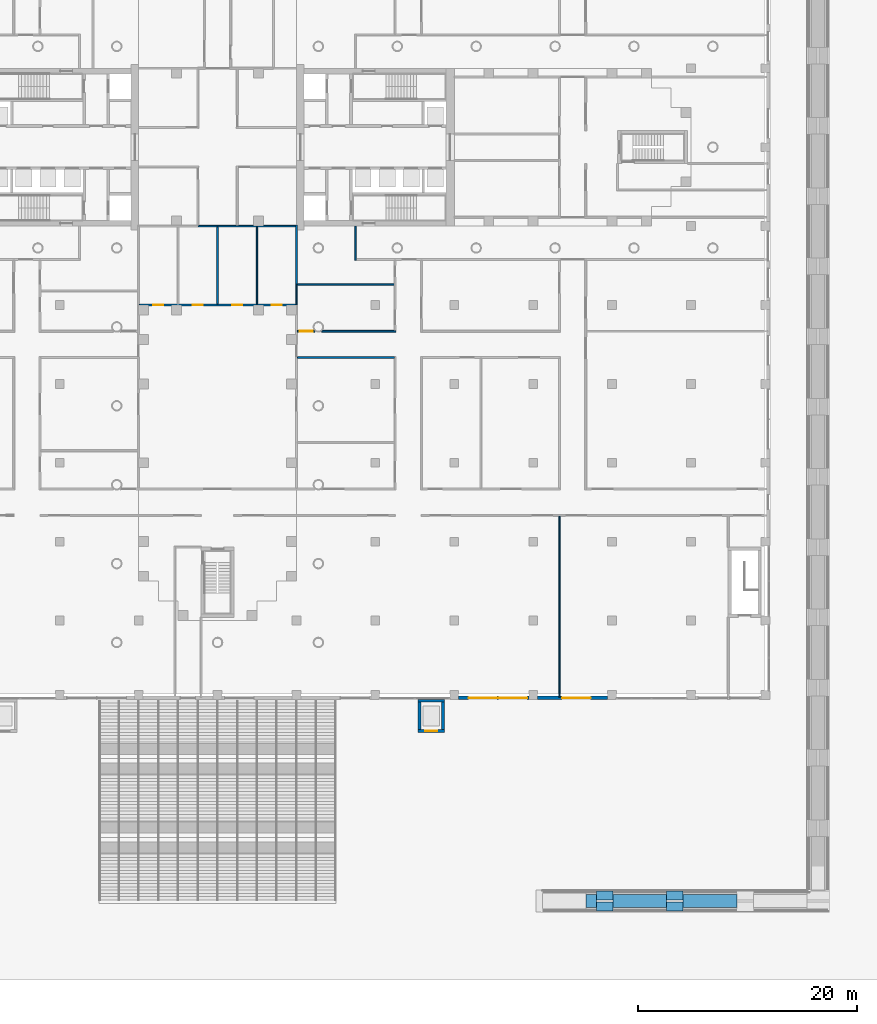
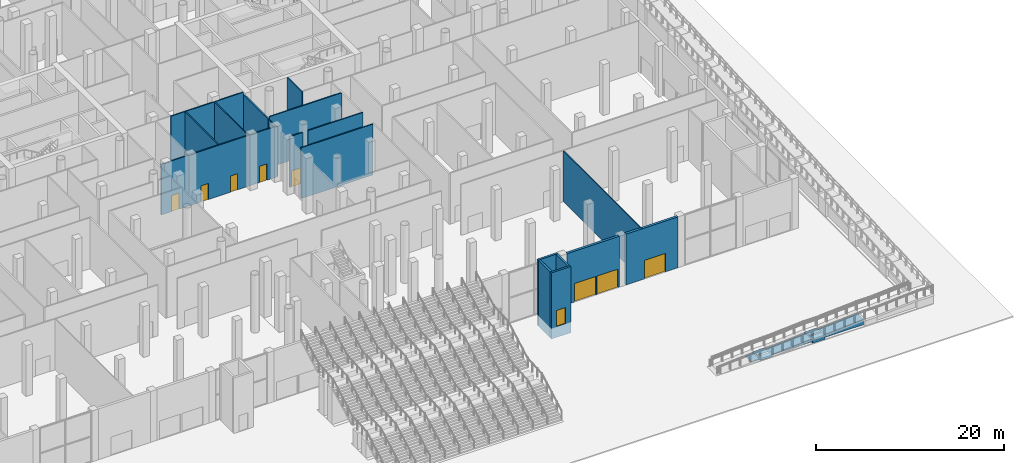
# One storey, part 18 of 44: 25 walls, 9 doors, 9 openings.
"""IFC4 building model written with IfcOpenShell, lengths in metres."""

from ifc_helpers import new_model, si_unit, direction, frame, frame_2d, origin, place, context, subcontext, project, spatial, polyline, rectangle, outline, extrude, material, layer, layer_set, type_object, element, fill, save


model = new_model("IFC4")

# Units and contexts
model_context = context("Model", 3, precision=1e-05, world=origin(), true_north=direction((0.0, 1.0)))
body_context = subcontext(model_context, "Body", "Model", "MODEL_VIEW")
ifc_project = project(units=[si_unit("LENGTHUNIT", "METRE"), si_unit("AREAUNIT", "SQUARE_METRE"), si_unit("VOLUMEUNIT", "CUBIC_METRE"), si_unit("PLANEANGLEUNIT", "RADIAN"), si_unit("MASSUNIT", "GRAM", prefix="KILO")], contexts=[model_context])

# Site, building, storey
site_placement = place(None, origin())
site = spatial("IfcSite", under=ifc_project, at=site_placement, CompositionType="ELEMENT")
building_placement = place(site_placement, origin())
building = spatial("IfcBuilding", under=site, at=building_placement, Name="Fustian Cross Tower", CompositionType="ELEMENT")
storey_placement = place(building_placement, origin())
storey = spatial("IfcBuildingStorey", under=building, at=storey_placement, Name="L00", CompositionType="ELEMENT", Elevation=0.0)

# Wall, openings, doors
ifc_material_1 = material(Name="Plasterboard on steel stud", Category="steel")
ifc_layer_1 = layer(ifc_material_1, 0.14990234375)
ifc_layer_set_1 = layer_set([ifc_layer_1], Name="Plasterboard on steel stud")
wall_type_1 = type_object("IfcWallType", Name="COMPARTMENT WALL 150 EI 60", PredefinedType="PARTITIONING", material=ifc_layer_set_1)
wall_1_placement = place(storey_placement, frame((-7.125, -14.39990234375, 0.0), z_axis=(0.0, 0.0, 1.0), x_axis=(1.0, 0.0, 0.0)))
wall_1 = element("IfcWall", 1, at=wall_1_placement, inside=storey, type_object=wall_type_1, Name="Partition 64", PredefinedType="PARTITIONING", context=body_context, shape_type="SweptSolid", body=[
    extrude(rectangle(XDim=14.25, YDim=0.14990234375, at=frame_2d((7.125, 0.0))), origin(), (0.0, 0.0, 1.0), 6.60009765625),
])
opening_1_placement = place(wall_1_placement, frame((1.27490234375, 0.0, 0.0)))
opening_1 = element("IfcOpeningElement", 2, at=opening_1_placement, cuts=wall_1, Name="Opening D02009", PredefinedType="OPENING", context=body_context, shape_type="SweptSolid", body=[
    extrude(rectangle(XDim=0.89990234375, YDim=2.10009765625, at=frame_2d((0.449951171875, 1.050048828125))), frame((0.0, 0.0849609375, 0.0), z_axis=(0.0, -1.0, 0.0), x_axis=(1.0, 0.0, 0.0)), (0.0, 0.0, 1.0), 0.169921875),
])
opening_2_placement = place(wall_1_placement, frame((4.875, 0.0, 0.0)))
opening_2 = element("IfcOpeningElement", 3, at=opening_2_placement, cuts=wall_1, Name="Opening D02010", PredefinedType="OPENING", context=body_context, shape_type="SweptSolid", body=[
    extrude(rectangle(XDim=0.89990234375, YDim=2.10009765625, at=frame_2d((0.449951171875, 1.050048828125))), frame((0.0, 0.0849609375, 0.0), z_axis=(0.0, -1.0, 0.0), x_axis=(1.0, 0.0, 0.0)), (0.0, 0.0, 1.0), 0.169921875),
])
opening_3_placement = place(wall_1_placement, frame((8.47509765625, 0.0, 0.0)))
opening_3 = element("IfcOpeningElement", 4, at=opening_3_placement, cuts=wall_1, Name="Opening D02011", PredefinedType="OPENING", context=body_context, shape_type="SweptSolid", body=[
    extrude(rectangle(XDim=0.89990234375, YDim=2.10009765625, at=frame_2d((0.449951171875, 1.050048828125))), frame((0.0, 0.0849609375, 0.0), z_axis=(0.0, -1.0, 0.0), x_axis=(1.0, 0.0, 0.0)), (0.0, 0.0, 1.0), 0.169921875),
])
opening_4_placement = place(wall_1_placement, frame((12.074951171875, 0.0, 0.0)))
opening_4 = element("IfcOpeningElement", 5, at=opening_4_placement, cuts=wall_1, Name="Opening D02012", PredefinedType="OPENING", context=body_context, shape_type="SweptSolid", body=[
    extrude(rectangle(XDim=0.89990234375, YDim=2.10009765625, at=frame_2d((0.449951171875, 1.050048828125))), frame((0.0, 0.0849609375, 0.0), z_axis=(0.0, -1.0, 0.0), x_axis=(1.0, 0.0, 0.0)), (0.0, 0.0, 1.0), 0.169921875),
])
ifc_material_2 = material(Name="Timber fire door set", Category="wood")
door_type_1 = type_object("IfcDoorType", Name="FIRE SWING DOOR 900 FD30S", OperationType="SINGLE_SWING_LEFT", PredefinedType="DOOR", material=ifc_material_2)
door_1_placement = place(opening_1_placement, origin())
door_1 = element("IfcDoor", 6, at=door_1_placement, inside=storey, type_object=door_type_1, Name="Door D02009", OperationType="SINGLE_SWING_LEFT", OverallHeight=2.10009765625, OverallWidth=0.89990234375, PredefinedType="DOOR", context=body_context, shape_type="SweptSolid", body=[
    extrude(rectangle(XDim=0.89990234375, YDim=2.10009765625, at=frame_2d((0.449951171875, 1.050048828125))), frame((0.0, 0.02490234375, 0.0), z_axis=(0.0, -1.0, 0.0), x_axis=(1.0, 0.0, 0.0)), (0.0, 0.0, 1.0), 0.050048828125),
])
fill(opening_1, door_1)
door_2_placement = place(opening_2_placement, origin())
door_2 = element("IfcDoor", 7, at=door_2_placement, inside=storey, type_object=door_type_1, Name="Door D02010", OperationType="SINGLE_SWING_LEFT", OverallHeight=2.10009765625, OverallWidth=0.89990234375, PredefinedType="DOOR", context=body_context, shape_type="SweptSolid", body=[
    extrude(rectangle(XDim=0.89990234375, YDim=2.10009765625, at=frame_2d((0.449951171875, 1.050048828125))), frame((0.0, 0.02490234375, 0.0), z_axis=(0.0, -1.0, 0.0), x_axis=(1.0, 0.0, 0.0)), (0.0, 0.0, 1.0), 0.050048828125),
])
fill(opening_2, door_2)
door_3_placement = place(opening_3_placement, origin())
door_3 = element("IfcDoor", 8, at=door_3_placement, inside=storey, type_object=door_type_1, Name="Door D02011", OperationType="SINGLE_SWING_LEFT", OverallHeight=2.10009765625, OverallWidth=0.89990234375, PredefinedType="DOOR", context=body_context, shape_type="SweptSolid", body=[
    extrude(rectangle(XDim=0.89990234375, YDim=2.10009765625, at=frame_2d((0.449951171875, 1.050048828125))), frame((0.0, 0.02490234375, 0.0), z_axis=(0.0, -1.0, 0.0), x_axis=(1.0, 0.0, 0.0)), (0.0, 0.0, 1.0), 0.050048828125),
])
fill(opening_3, door_3)
door_4_placement = place(opening_4_placement, origin())
door_4 = element("IfcDoor", 9, at=door_4_placement, inside=storey, type_object=door_type_1, Name="Door D02012", OperationType="SINGLE_SWING_LEFT", OverallHeight=2.10009765625, OverallWidth=0.89990234375, PredefinedType="DOOR", context=body_context, shape_type="SweptSolid", body=[
    extrude(rectangle(XDim=0.89990234375, YDim=2.10009765625, at=frame_2d((0.449951171875, 1.050048828125))), frame((0.0, 0.02490234375, 0.0), z_axis=(0.0, -1.0, 0.0), x_axis=(1.0, 0.0, 0.0)), (0.0, 0.0, 1.0), 0.050048828125),
])
fill(opening_4, door_4)

# Walls
wall_2_placement = place(storey_placement, frame((-1.800048828125, -7.199951171875, 0.0), z_axis=(0.0, 0.0, 1.0), x_axis=(1.0, 0.0, 0.0)))
element("IfcWall", 10, at=wall_2_placement, inside=storey, type_object=wall_type_1, Name="Partition 75", PredefinedType="PARTITIONING", context=body_context, shape_type="SweptSolid", body=[
    extrude(rectangle(XDim=8.925048828125, YDim=0.14990234375, at=frame_2d((4.46240234375, 0.0))), origin(), (0.0, 0.0, 1.0), 6.60009765625),
])
wall_3_placement = place(storey_placement, frame((0.0, -14.324951171875, 0.0), z_axis=(0.0, 0.0, 1.0), x_axis=(0.0, 1.0, 0.0)))
element("IfcWall", 11, at=wall_3_placement, inside=storey, type_object=wall_type_1, Name="Partition 82", PredefinedType="PARTITIONING", context=body_context, shape_type="SweptSolid", body=[
    extrude(rectangle(XDim=7.050048828125, YDim=0.14990234375, at=frame_2d((3.52490234375, 0.0))), origin(), (0.0, 0.0, 1.0), 6.60009765625),
])
wall_4_placement = place(storey_placement, frame((7.27490234375, -19.199951171875, 0.0), z_axis=(0.0, 0.0, 1.0), x_axis=(1.0, 0.0, 0.0)))
element("IfcWall", 12, at=wall_4_placement, inside=storey, type_object=wall_type_1, Name="Partition 99", PredefinedType="PARTITIONING", context=body_context, shape_type="SweptSolid", body=[
    extrude(rectangle(XDim=8.85009765625, YDim=0.14990234375, at=frame_2d((4.425048828125, 0.0))), origin(), (0.0, 0.0, 1.0), 6.60009765625),
])

# Wall, opening, door
wall_5_placement = place(storey_placement, frame((7.27490234375, -16.800048828125, 0.0), z_axis=(0.0, 0.0, 1.0), x_axis=(1.0, 0.0, 0.0)))
wall_5 = element("IfcWall", 13, at=wall_5_placement, inside=storey, type_object=wall_type_1, Name="Partition 100", PredefinedType="PARTITIONING", context=body_context, shape_type="SweptSolid", body=[
    extrude(rectangle(XDim=1.603515625, YDim=0.14990234375, at=frame_2d((0.8017578125, 0.0))), origin(), (0.0, 0.0, 1.0), 6.60009765625),
])
opening_5_placement = place(wall_5_placement, frame((0.22509765625, 0.0, 0.0)))
opening_5 = element("IfcOpeningElement", 14, at=opening_5_placement, cuts=wall_5, Name="Opening D02116", PredefinedType="OPENING", context=body_context, shape_type="SweptSolid", body=[
    extrude(rectangle(XDim=1.199951171875, YDim=2.10009765625, at=frame_2d((0.60009765625, 1.050048828125))), frame((0.0, 0.0849609375, 0.0), z_axis=(0.0, -1.0, 0.0), x_axis=(1.0, 0.0, 0.0)), (0.0, 0.0, 1.0), 0.169921875),
])
ifc_material_3 = material(Name="Timber fire door set", Category="wood")
door_type_2 = type_object("IfcDoorType", Name="FIRE SWING DOOR 1200 FD30S", OperationType="SINGLE_SWING_LEFT", PredefinedType="DOOR", material=ifc_material_3)
door_5_placement = place(opening_5_placement, origin())
door_5 = element("IfcDoor", 15, at=door_5_placement, inside=storey, type_object=door_type_2, Name="Door D02116", OperationType="SINGLE_SWING_LEFT", OverallHeight=2.10009765625, OverallWidth=1.199951171875, PredefinedType="DOOR", context=body_context, shape_type="SweptSolid", body=[
    extrude(rectangle(XDim=1.199951171875, YDim=2.10009765625, at=frame_2d((0.60009765625, 1.050048828125))), frame((0.0, 0.02490234375, 0.0), z_axis=(0.0, -1.0, 0.0), x_axis=(1.0, 0.0, 0.0)), (0.0, 0.0, 1.0), 0.050048828125),
])
fill(opening_5, door_5)

# Walls
wall_6_placement = place(storey_placement, frame((9.521484375, -16.800048828125, 0.0), z_axis=(0.0, 0.0, 1.0), x_axis=(1.0, 0.0, 0.0)))
element("IfcWall", 16, at=wall_6_placement, inside=storey, type_object=wall_type_1, Name="Partition 163", PredefinedType="PARTITIONING", context=body_context, shape_type="SweptSolid", body=[
    extrude(rectangle(XDim=6.75341796875, YDim=0.14990234375, at=frame_2d((3.376708984375, 0.0))), origin(), (0.0, 0.0, 1.0), 6.60009765625),
])
wall_7_placement = place(storey_placement, frame((7.199951171875, -12.518310546875, 0.0), z_axis=(0.0, 0.0, 1.0), x_axis=(0.0, 1.0, 0.0)))
element("IfcWall", 17, at=wall_7_placement, inside=storey, type_object=wall_type_1, Name="Partition 102", PredefinedType="PARTITIONING", context=body_context, shape_type="SweptSolid", body=[
    extrude(rectangle(XDim=5.393310546875, YDim=0.14990234375, at=frame_2d((2.69677734375, 0.0))), origin(), (0.0, 0.0, 1.0), 6.300048828125),
])
wall_8_placement = place(storey_placement, frame((7.27490234375, -12.518310546875, 0.0), z_axis=(0.0, 0.0, 1.0), x_axis=(1.0, 0.0, 0.0)))
element("IfcWall", 18, at=wall_8_placement, inside=storey, type_object=wall_type_1, Name="Partition 103", PredefinedType="PARTITIONING", context=body_context, shape_type="SweptSolid", body=[
    extrude(rectangle(XDim=8.85009765625, YDim=0.14990234375, at=frame_2d((4.425048828125, 0.0))), origin(), (0.0, 0.0, 1.0), 6.60009765625),
])
wall_9_placement = place(storey_placement, frame((12.60009765625, -10.324951171875, 0.0), z_axis=(0.0, 0.0, 1.0), x_axis=(0.0, 1.0, 0.0)))
element("IfcWall", 19, at=wall_9_placement, inside=storey, type_object=wall_type_1, Name="Partition 105", PredefinedType="PARTITIONING", context=body_context, shape_type="SweptSolid", body=[
    extrude(rectangle(XDim=3.125, YDim=0.14990234375, at=frame_2d((1.5625, 0.0))), origin(), (0.0, 0.0, 1.0), 6.60009765625),
])

# Wall, openings, doors
ifc_material_4 = material(Name="Dark rainscreen cladding on blockwork", Category="masonry")
ifc_layer_2 = layer(ifc_material_4, 0.300048828125)
ifc_layer_set_2 = layer_set([ifc_layer_2], Name="Dark rainscreen cladding on blockwork")
wall_type_2 = type_object("IfcWallType", Name="EXTERNAL WALL 300 CLADDING", PredefinedType="SOLIDWALL", material=ifc_layer_set_2)
wall_10_placement = place(storey_placement, frame((22.0, -50.25, 0.0), z_axis=(0.0, 0.0, 1.0), x_axis=(1.0, 0.0, 0.0)))
wall_10 = element("IfcWall", 20, at=wall_10_placement, inside=storey, type_object=wall_type_2, Name="External wall S11", PredefinedType="SOLIDWALL", context=body_context, shape_type="SweptSolid", body=[
    extrude(rectangle(XDim=6.39990234375, YDim=0.300048828125, at=frame_2d((3.199951171875, 0.0))), origin(), (0.0, 0.0, 1.0), 6.60009765625),
])
opening_6_placement = place(wall_10_placement, frame((0.89990234375, 0.0, 0.0)))
opening_6 = element("IfcOpeningElement", 21, at=opening_6_placement, cuts=wall_10, Name="Opening EDP11", PredefinedType="OPENING", context=body_context, shape_type="SweptSolid", body=[
    extrude(rectangle(XDim=2.60009765625, YDim=2.39990234375, at=frame_2d((1.300048828125, 1.199951171875))), frame((0.0, 0.159912109375, 0.0), z_axis=(0.0, -1.0, 0.0), x_axis=(1.0, 0.0, 0.0)), (0.0, 0.0, 1.0), 0.320068359375),
])
opening_7_placement = place(wall_10_placement, frame((3.64990234375, 0.0, 0.0)))
opening_7 = element("IfcOpeningElement", 22, at=opening_7_placement, cuts=wall_10, Name="Opening EDP12", PredefinedType="OPENING", context=body_context, shape_type="SweptSolid", body=[
    extrude(rectangle(XDim=2.60009765625, YDim=2.39990234375, at=frame_2d((1.300048828125, 1.199951171875))), frame((0.0, 0.159912109375, 0.0), z_axis=(0.0, -1.0, 0.0), x_axis=(1.0, 0.0, 0.0)), (0.0, 0.0, 1.0), 0.320068359375),
])
ifc_material_5 = material(Name="Aluminium and glass", Category="aluminium")
door_type_3 = type_object("IfcDoorType", Name="ENTRANCE DOOR 2600", OperationType="DOUBLE_DOOR_SINGLE_SWING", PredefinedType="DOOR", material=ifc_material_5)
door_6_placement = place(opening_6_placement, frame((2.60009765625, 0.0, 0.0), z_axis=(0.0, 0.0, 1.0), x_axis=(-1.0, 0.0, 0.0)))
door_6 = element("IfcDoor", 23, at=door_6_placement, inside=storey, type_object=door_type_3, Name="Exit door 11", OperationType="DOUBLE_DOOR_DOUBLE_SWING", OverallHeight=2.39990234375, OverallWidth=2.60009765625, PredefinedType="DOOR", context=body_context, shape_type="SweptSolid", body=[
    extrude(rectangle(XDim=2.60009765625, YDim=2.39990234375, at=frame_2d((1.300048828125, 1.199951171875))), frame((0.0, 0.02490234375, 0.0), z_axis=(0.0, -1.0, 0.0), x_axis=(1.0, 0.0, 0.0)), (0.0, 0.0, 1.0), 0.050048828125),
])
fill(opening_6, door_6)
door_7_placement = place(opening_7_placement, frame((2.60009765625, 0.0, 0.0), z_axis=(0.0, 0.0, 1.0), x_axis=(-1.0, 0.0, 0.0)))
door_7 = element("IfcDoor", 24, at=door_7_placement, inside=storey, type_object=door_type_3, Name="Exit door 12", OperationType="DOUBLE_DOOR_DOUBLE_SWING", OverallHeight=2.39990234375, OverallWidth=2.60009765625, PredefinedType="DOOR", context=body_context, shape_type="SweptSolid", body=[
    extrude(rectangle(XDim=2.60009765625, YDim=2.39990234375, at=frame_2d((1.300048828125, 1.199951171875))), frame((0.0, 0.02490234375, 0.0), z_axis=(0.0, -1.0, 0.0), x_axis=(1.0, 0.0, 0.0)), (0.0, 0.0, 1.0), 0.050048828125),
])
fill(opening_7, door_7)

# Wall, opening, door
wall_11_placement = place(storey_placement, frame((29.199951171875, -50.25, 0.0), z_axis=(0.0, 0.0, 1.0), x_axis=(1.0, 0.0, 0.0)))
wall_11 = element("IfcWall", 25, at=wall_11_placement, inside=storey, type_object=wall_type_2, Name="External wall S12", PredefinedType="SOLIDWALL", context=body_context, shape_type="SweptSolid", body=[
    extrude(rectangle(XDim=6.400146484375, YDim=0.300048828125, at=frame_2d((3.2001953125, 0.0))), origin(), (0.0, 0.0, 1.0), 6.60009765625),
])
opening_8_placement = place(wall_11_placement, frame((2.25, 0.0, 0.0)))
opening_8 = element("IfcOpeningElement", 26, at=opening_8_placement, cuts=wall_11, Name="Opening EDP13", PredefinedType="OPENING", context=body_context, shape_type="SweptSolid", body=[
    extrude(rectangle(XDim=2.60009765625, YDim=2.39990234375, at=frame_2d((1.300048828125, 1.199951171875))), frame((0.0, 0.159912109375, 0.0), z_axis=(0.0, -1.0, 0.0), x_axis=(1.0, 0.0, 0.0)), (0.0, 0.0, 1.0), 0.320068359375),
])
door_8_placement = place(opening_8_placement, frame((2.60009765625, 0.0, 0.0), z_axis=(0.0, 0.0, 1.0), x_axis=(-1.0, 0.0, 0.0)))
door_8 = element("IfcDoor", 27, at=door_8_placement, inside=storey, type_object=door_type_3, Name="Exit door 13", OperationType="DOUBLE_DOOR_DOUBLE_SWING", OverallHeight=2.39990234375, OverallWidth=2.60009765625, PredefinedType="DOOR", context=body_context, shape_type="SweptSolid", body=[
    extrude(rectangle(XDim=2.60009765625, YDim=2.39990234375, at=frame_2d((1.300048828125, 1.199951171875))), frame((0.0, 0.02490234375, 0.0), z_axis=(0.0, -1.0, 0.0), x_axis=(1.0, 0.0, 0.0)), (0.0, 0.0, 1.0), 0.050048828125),
])
fill(opening_8, door_8)

ifc_material_6 = material(Name="Concrete C40/50", Category="concrete")
ifc_layer_3 = layer(ifc_material_6, 0.25)
ifc_layer_set_3 = layer_set([ifc_layer_3], Name="Concrete C40/50")
wall_type_3 = type_object("IfcWallType", Name="LIFT SHAFT WALL 250", PredefinedType="SOLIDWALL", material=ifc_layer_set_3)
wall_12_placement = place(storey_placement, frame((18.300048828125, -53.27490234375, -1.39990234375), z_axis=(0.0, 0.0, 1.0), x_axis=(1.0, 0.0, 0.0)))
wall_12 = element("IfcWall", 28, at=wall_12_placement, inside=storey, type_object=wall_type_3, Name="Lift shaft wall PL2 L00 S", PredefinedType="SOLIDWALL", context=body_context, shape_type="SweptSolid", body=[
    extrude(rectangle(XDim=2.39990234375, YDim=0.25, at=frame_2d((1.199951171875, 0.0))), origin(), (0.0, 0.0, 1.0), 8.599853515625),
])
opening_9_placement = place(wall_12_placement, frame((0.64990234375, 0.0, 1.39990234375)))
opening_9 = element("IfcOpeningElement", 29, at=opening_9_placement, cuts=wall_12, Name="Opening LD", PredefinedType="OPENING", context=body_context, shape_type="SweptSolid", body=[
    extrude(rectangle(XDim=1.10009765625, YDim=2.10009765625, at=frame_2d((0.550048828125, 1.050048828125))), frame((0.0, 0.135009765625, 0.0), z_axis=(0.0, -1.0, 0.0), x_axis=(1.0, 0.0, 0.0)), (0.0, 0.0, 1.0), 0.27001953125),
])
ifc_material_7 = material(Name="Stainless steel", Category="steel")
door_type_4 = type_object("IfcDoorType", Name="LIFT LANDING DOOR 1100X2100", OperationType="SLIDING_TO_LEFT", PredefinedType="DOOR", material=ifc_material_7)
door_9_placement = place(opening_9_placement, origin())
door_9 = element("IfcDoor", 30, at=door_9_placement, inside=storey, type_object=door_type_4, Name="Public lift car landing door PL2 L00", OperationType="SLIDING_TO_LEFT", OverallHeight=2.10009765625, OverallWidth=1.10009765625, PredefinedType="DOOR", context=body_context, shape_type="SweptSolid", body=[
    extrude(rectangle(XDim=1.10009765625, YDim=2.10009765625, at=frame_2d((0.550048828125, 1.050048828125))), frame((0.0, 0.02490234375, 0.0), z_axis=(0.0, -1.0, 0.0), x_axis=(1.0, 0.0, 0.0)), (0.0, 0.0, 1.0), 0.050048828125),
])
fill(opening_9, door_9)

# Walls
wall_13_placement = place(storey_placement, frame((18.300048828125, -50.52490234375, -1.39990234375), z_axis=(0.0, 0.0, 1.0), x_axis=(1.0, 0.0, 0.0)))
element("IfcWall", 31, at=wall_13_placement, inside=storey, type_object=wall_type_3, Name="Lift shaft wall PL2 L00 N", PredefinedType="SOLIDWALL", context=body_context, shape_type="SweptSolid", body=[
    extrude(rectangle(XDim=2.39990234375, YDim=0.25, at=frame_2d((1.199951171875, 0.0))), origin(), (0.0, 0.0, 1.0), 8.599853515625),
])
for number, where, z_axis, x_axis, name in (
    (32, (18.425048828125, -53.14990234375, -1.39990234375), (0.0, 0.0, 1.0), (0.0, 1.0, 0.0), "Lift shaft wall PL2 L00 W"),
    (33, (20.574951171875, -53.14990234375, -1.39990234375), (0.0, 0.0, 1.0), (0.0, 1.0, 0.0), "Lift shaft wall PL2 L00 E"),
):
    element("IfcWall", number, at=place(storey_placement, frame(where, z_axis=z_axis, x_axis=x_axis)), inside=storey, type_object=wall_type_3, Name=name, PredefinedType="SOLIDWALL", context=body_context, shape_type="SweptSolid", body=[
        extrude(rectangle(XDim=2.5, YDim=0.25, at=frame_2d((1.25, 0.0))), origin(), (0.0, 0.0, 1.0), 8.599853515625),
    ])
ifc_material_8 = material(Name="Plasterboard on steel stud", Category="steel")
ifc_layer_4 = layer(ifc_material_8, 0.10009765625)
ifc_layer_set_4 = layer_set([ifc_layer_4], Name="Plasterboard on steel stud")
wall_type_4 = type_object("IfcWallType", Name="PARTITION 100 STUD", PredefinedType="PARTITIONING", material=ifc_layer_set_4)
wall_14_placement = place(storey_placement, frame((3.60009765625, -14.324951171875, 0.0), z_axis=(0.0, 0.0, 1.0), x_axis=(0.0, 1.0, 0.0)))
element("IfcWall", 34, at=wall_14_placement, inside=storey, type_object=wall_type_4, Name="Partition 94", PredefinedType="PARTITIONING", context=body_context, shape_type="SweptSolid", body=[
    extrude(rectangle(XDim=7.050048828125, YDim=0.10009765625, at=frame_2d((3.52490234375, 0.0))), origin(), (0.0, 0.0, 1.0), 6.60009765625),
])
wall_15_placement = place(storey_placement, frame((7.199951171875, -14.39990234375, 0.0), z_axis=(0.0, 0.0, 1.0), x_axis=(0.0, 1.0, 0.0)))
element("IfcWall", 35, at=wall_15_placement, inside=storey, type_object=wall_type_4, Name="Partition 101", PredefinedType="PARTITIONING", context=body_context, shape_type="SweptSolid", body=[
    extrude(rectangle(XDim=1.881591796875, YDim=0.10009765625, at=frame_2d((0.94091796875, 0.0))), origin(), (0.0, 0.0, 1.0), 6.300048828125),
])
wall_16_placement = place(storey_placement, frame((31.199951171875, -50.219970703125, 0.0), z_axis=(0.0, 0.0, 1.0), x_axis=(0.0, 1.0, 0.0)))
element("IfcWall", 36, at=wall_16_placement, inside=storey, type_object=wall_type_4, Name="Partition 133", PredefinedType="PARTITIONING", context=body_context, shape_type="SweptSolid", body=[
    extrude(rectangle(XDim=16.544921875, YDim=0.10009765625, at=frame_2d((8.2724609375, 0.0))), origin(), (0.0, 0.0, 1.0), 6.60009765625),
])
ifc_material_9 = material(Name="Concrete C40/50", Category="concrete")
ifc_layer_5 = layer(ifc_material_9, 1.199951171875)
ifc_layer_set_5 = layer_set([ifc_layer_5], Name="Concrete C40/50")
wall_type_5 = type_object("IfcWallType", Name="RAMP BANK WALL 1200", PredefinedType="SOLIDWALL", material=ifc_layer_set_5)
wall_17_placement = place(storey_placement, frame((33.6220703125, -68.800048828125, 0.0), z_axis=(0.0, 0.0, 1.0), x_axis=(1.0, 0.0, 0.0)))
element("IfcWall", 37, at=wall_17_placement, inside=storey, type_object=wall_type_5, Name="Ramp bank wall 1", PredefinedType="SOLIDWALL", context=body_context, shape_type="SweptSolid", body=[
    extrude(outline(polyline([(0.0, 0.0), (0.95068359375, 0.0), (0.95068359375, 0.07666015625), (0.0, 0.013427734375), (0.0, 0.0)])), frame((0.0, 0.60009765625, 0.0), z_axis=(0.0, -1.0, 0.0), x_axis=(1.0, 0.0, 0.0)), (0.0, 0.0, 1.0), 1.199951171875),
])
wall_18_placement = place(storey_placement, frame((36.07275390625, -68.800048828125, 0.0), z_axis=(0.0, 0.0, 1.0), x_axis=(1.0, 0.0, 0.0)))
element("IfcWall", 38, at=wall_18_placement, inside=storey, type_object=wall_type_5, Name="Ramp bank wall 2", PredefinedType="SOLIDWALL", context=body_context, shape_type="SweptSolid", body=[
    extrude(outline(polyline([(0.0, 0.0), (4.9091796875, 0.0), (4.9091796875, 0.404052734375), (0.0, 0.07666015625), (0.0, 0.0)])), frame((0.0, 0.60009765625, 0.0), z_axis=(0.0, -1.0, 0.0), x_axis=(1.0, 0.0, 0.0)), (0.0, 0.0, 1.0), 1.199951171875),
])
wall_19_placement = place(storey_placement, frame((42.48193359375, -68.800048828125, 0.0), z_axis=(0.0, 0.0, 1.0), x_axis=(1.0, 0.0, 0.0)))
element("IfcWall", 39, at=wall_19_placement, inside=storey, type_object=wall_type_5, Name="Ramp bank wall 3", PredefinedType="SOLIDWALL", context=body_context, shape_type="SweptSolid", body=[
    extrude(outline(polyline([(0.0, 0.0), (4.908935546875, 0.0), (4.9091796875, 0.731201171875), (0.0, 0.404052734375), (0.0, 0.0)])), frame((0.0, 0.60009765625, 0.0), z_axis=(0.0, -1.0, 0.0), x_axis=(1.0, 0.0, 0.0)), (0.0, 0.0, 1.0), 1.199951171875),
])
ifc_material_10 = material(Name="Concrete C40/50", Category="concrete")
ifc_layer_6 = layer(ifc_material_10, 0.800048828125)
ifc_layer_set_6 = layer_set([ifc_layer_6], Name="Concrete C40/50")
wall_type_6 = type_object("IfcWallType", Name="RAMP LANDING PIER 800", PredefinedType="SOLIDWALL", material=ifc_layer_set_6)
for number, where, z_axis, x_axis, name in (
    (40, (34.57275390625, -69.300048828125, 0.0), (0.0, 0.0, 1.0), (1.0, 0.0, 0.0), "Ramp landing pier 1W"),
    (41, (34.57275390625, -68.300048828125, 0.0), (0.0, 0.0, 1.0), (1.0, 0.0, 0.0), "Ramp landing pier 1E"),
):
    element("IfcWall", number, at=place(storey_placement, frame(where, z_axis=z_axis, x_axis=x_axis)), inside=storey, type_object=wall_type_6, Name=name, PredefinedType="SOLIDWALL", context=body_context, shape_type="SweptSolid", body=[
        extrude(rectangle(XDim=1.5, YDim=0.800048828125, at=frame_2d((0.75, 0.0))), origin(), (0.0, 0.0, 1.0), 0.077392578125),
    ])
for number, where, z_axis, x_axis, name in (
    (42, (40.98193359375, -69.300048828125, 0.0), (0.0, 0.0, 1.0), (1.0, 0.0, 0.0), "Ramp landing pier 2W"),
    (43, (40.98193359375, -68.300048828125, 0.0), (0.0, 0.0, 1.0), (1.0, 0.0, 0.0), "Ramp landing pier 2E"),
):
    element("IfcWall", number, at=place(storey_placement, frame(where, z_axis=z_axis, x_axis=x_axis)), inside=storey, type_object=wall_type_6, Name=name, PredefinedType="SOLIDWALL", context=body_context, shape_type="SweptSolid", body=[
        extrude(rectangle(XDim=1.5, YDim=0.800048828125, at=frame_2d((0.75, 0.0))), origin(), (0.0, 0.0, 1.0), 0.404541015625),
    ])

save(model, "model.ifc")
